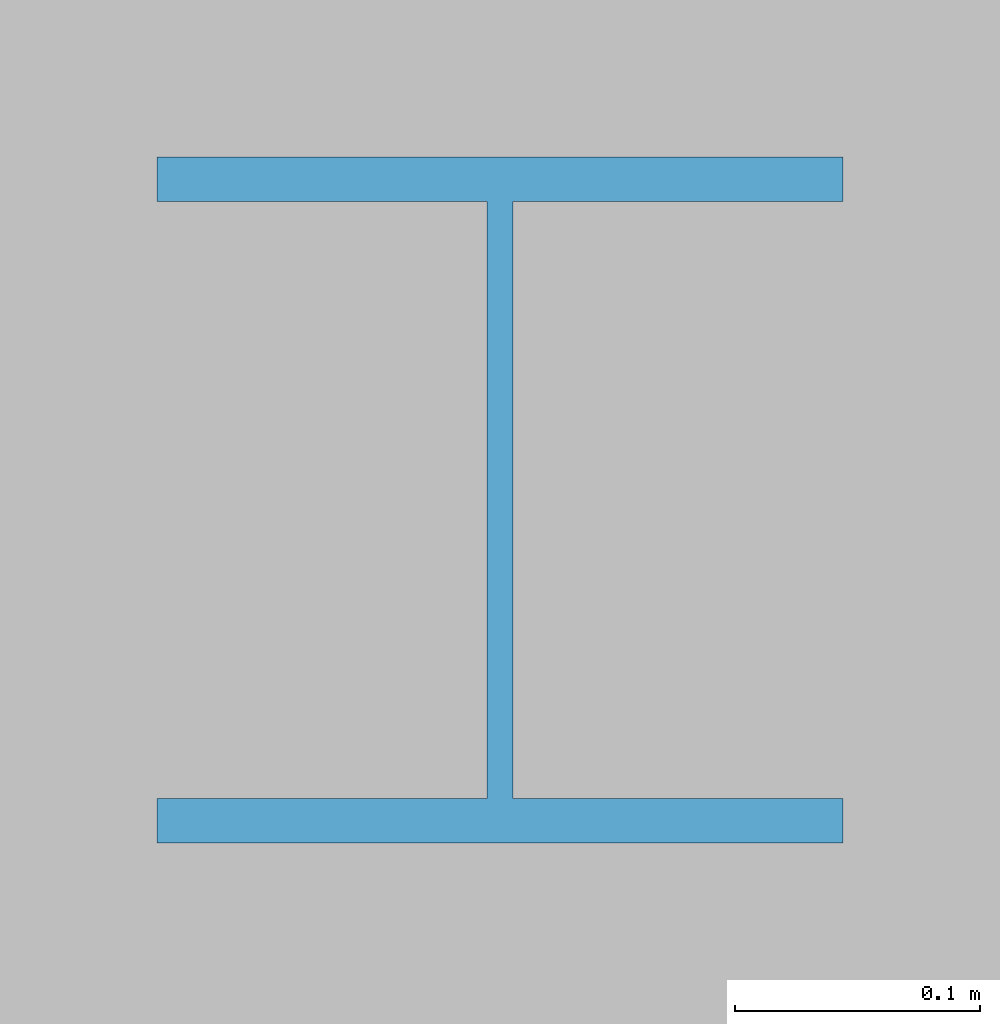
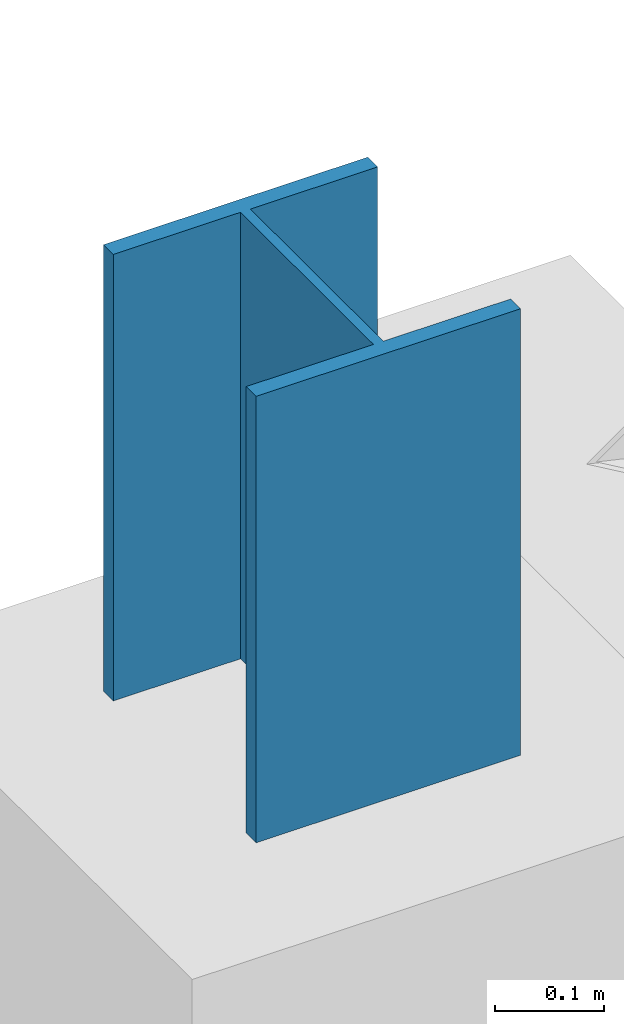
# One storey, part 11 of 97: 1 column.
"""IFC4 building model written with IfcOpenShell, lengths in metres."""

from ifc_helpers import new_model, si_unit, direction, frame, origin, origin_2d, place, context, subcontext, project, spatial, i_section, extrude, material, material_profile, profile_set, type_object, element, save


model = new_model("IFC4")

# Units and contexts
model_context = context("Model", 3, precision=1e-05, world=origin(), true_north=direction((0.0, 1.0)))
body_context = subcontext(model_context, "Body", "Model", "MODEL_VIEW")
ifc_project = project(units=[si_unit("LENGTHUNIT", "METRE"), si_unit("AREAUNIT", "SQUARE_METRE"), si_unit("VOLUMEUNIT", "CUBIC_METRE"), si_unit("PLANEANGLEUNIT", "RADIAN"), si_unit("MASSUNIT", "GRAM", prefix="KILO")], contexts=[model_context])

# Site, building, storey
site_placement = place(None, origin())
site = spatial("IfcSite", under=ifc_project, at=site_placement, CompositionType="ELEMENT")
building_placement = place(site_placement, origin())
building = spatial("IfcBuilding", under=site, at=building_placement, Name="Lykobir Media Centre", CompositionType="ELEMENT")
storey_placement = place(building_placement, frame((0.0, 0.0, 23.39990234375)))
storey = spatial("IfcBuildingStorey", under=building, at=storey_placement, Name="L05", CompositionType="ELEMENT", Elevation=23.39990234375)

# Column
ifc_material = material(Name="Steel S355", Category="steel")
ifc_material_profile = material_profile(ifc_material, i_section(OverallWidth=0.280029296875, OverallDepth=0.280029296875, WebThickness=0.010498046875, FlangeThickness=0.01806640625, at=origin_2d()), Name="HEB 280")
ifc_profile_set = profile_set([ifc_material_profile], Name="Steel S355")
column_type = type_object("IfcColumnType", Name="SC-HEB280-E", PredefinedType="COLUMN", material=ifc_profile_set)
column_placement = place(storey_placement, frame((45.0, 108.0, 4.2001953125), z_axis=(0.0, 0.0, 1.0), x_axis=(1.0, 0.0, 0.0)))
element("IfcColumn", 1, at=column_placement, inside=storey, type_object=column_type, Name="V6 roof portal post 45-108", PredefinedType="COLUMN", context=body_context, shape_type="SweptSolid", body=[
    extrude(i_section(OverallWidth=0.280029296875, OverallDepth=0.280029296875, WebThickness=0.010498046875, FlangeThickness=0.01806640625, at=origin_2d()), origin(), (0.0, 0.0, 1.0), 0.5),
])

save(model, "model.ifc")
